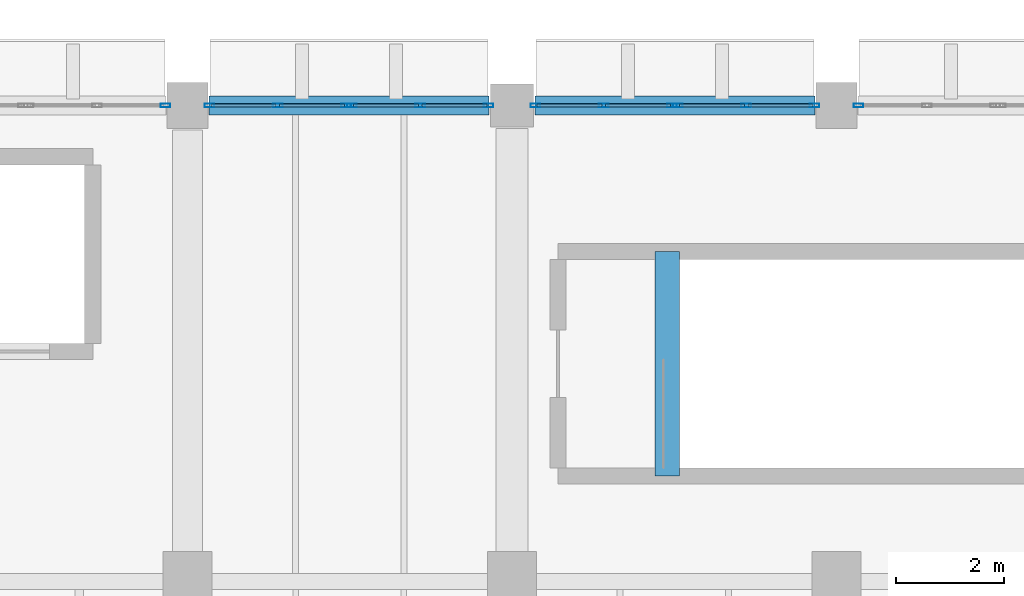
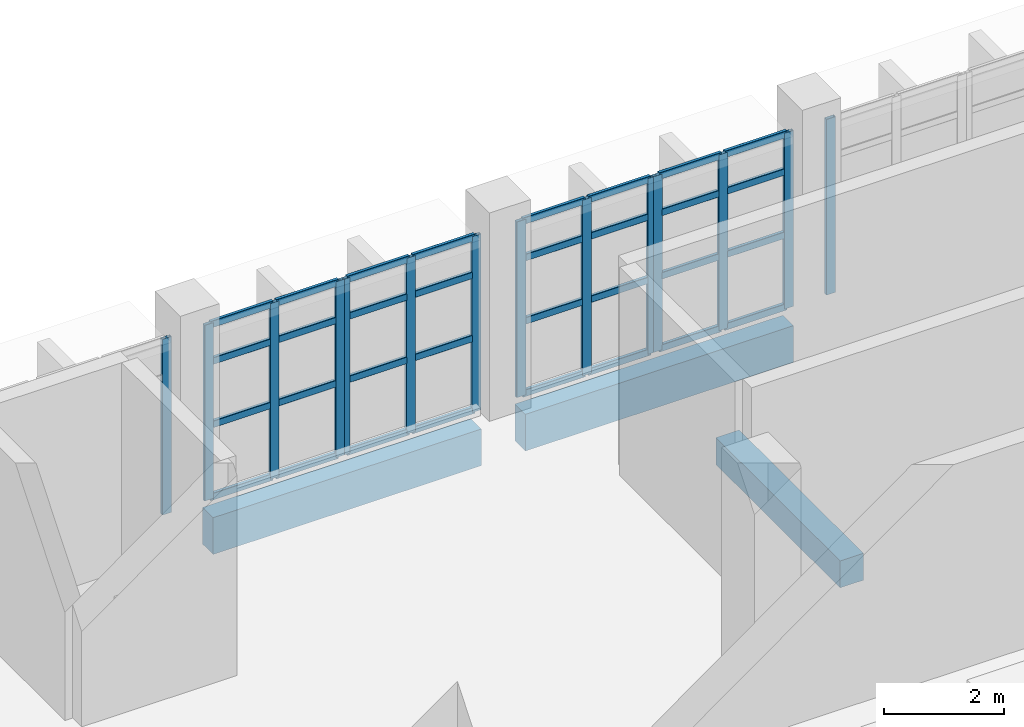
# One storey, part 32 of 76: 46 members, 3 beams, 6 elements without a shape of their own.
"""IFC4 building model written with IfcOpenShell, lengths in metres."""

from ifc_helpers import new_model, si_unit, direction, frame, origin, origin_2d, place, context, subcontext, project, spatial, rectangle, hollow_rectangle, extrude, material, material_profile, profile_set, type_object, element, aggregate, save


model = new_model("IFC4")

# Units and contexts
model_context = context("Model", 3, precision=1e-05, world=origin(), true_north=direction((0.0, 1.0)))
body_context = subcontext(model_context, "Body", "Model", "MODEL_VIEW")
ifc_project = project(units=[si_unit("LENGTHUNIT", "METRE"), si_unit("AREAUNIT", "SQUARE_METRE"), si_unit("VOLUMEUNIT", "CUBIC_METRE"), si_unit("PLANEANGLEUNIT", "RADIAN"), si_unit("MASSUNIT", "GRAM", prefix="KILO")], contexts=[model_context])

# Site, building, storey
site_placement = place(None, origin())
site = spatial("IfcSite", under=ifc_project, at=site_placement, CompositionType="ELEMENT")
building_placement = place(site_placement, origin())
building = spatial("IfcBuilding", under=site, at=building_placement, Name="Varnakota Cinema and Media Centre", CompositionType="ELEMENT")
storey_placement = place(building_placement, origin())
storey = spatial("IfcBuildingStorey", under=building, at=storey_placement, Name="L00", CompositionType="ELEMENT", Elevation=0.0)

# Beams
ifc_material_1 = material(Name="Concrete M40", Category="concrete")
ifc_material_profile_1 = material_profile(ifc_material_1, rectangle(XDim=0.449951171875, YDim=0.550048828125, at=origin_2d()), Name="RCB 450x550")
ifc_profile_set_1 = profile_set([ifc_material_profile_1], Name="Concrete M40")
beam_type_1 = type_object("IfcBeamType", Name="BM-RC-450x550", PredefinedType="BEAM", material=ifc_profile_set_1)
beam_placement = place(storey_placement, frame((89.8701171875, 37.14990234375, -0.27490234375), z_axis=(0.0, 1.0, 0.0), x_axis=(-1.0, 0.0, 0.0)))
element("IfcBeam", 1, at=beam_placement, inside=storey, type_object=beam_type_1, Name="L00 ST-B2 stair arrival trimmer beam", PredefinedType="BEAM", context=body_context, shape_type="SweptSolid", body=[
    extrude(rectangle(XDim=0.449951171875, YDim=0.550048828125, at=origin_2d()), origin(), (0.0, 0.0, 1.0), 4.150146484375),
])
ifc_material_2 = material(Name="Concrete M40", Category="concrete")
ifc_material_profile_2 = material_profile(ifc_material_2, rectangle(XDim=0.35009765625, YDim=0.75, at=origin_2d()), Name="RCB 350x750")
ifc_profile_set_2 = profile_set([ifc_material_profile_2], Name="Concrete M40")
beam_type_2 = type_object("IfcBeamType", Name="BM-SP-350x750", PredefinedType="SPANDREL", material=ifc_profile_set_2)
for number, where, z_axis, x_axis, name in (
    (2, (81.39990234375, 44.0, -0.655029296875), (1.0, 0.0, 0.0), (0.0, 1.0, 0.0), "L00 girder L-M/6"),
    (3, (87.425048828125, 44.0, -0.655029296875), (1.0, 0.0, 0.0), (0.0, 1.0, 0.0), "L00 girder M-N/6"),
):
    element("IfcBeam", number, at=place(storey_placement, frame(where, z_axis=z_axis, x_axis=x_axis)), inside=storey, type_object=beam_type_2, Name=name, PredefinedType="SPANDREL", context=body_context, shape_type="SweptSolid", body=[
        extrude(rectangle(XDim=0.35009765625, YDim=0.75, at=origin_2d()), origin(), (0.0, 0.0, 1.0), 5.175048828125),
    ])

# Curtain wall, member
ifc_material_3 = material(Name="Thermally broken anodised aluminium AW-6063", Category="aluminium")
curtain_wall_type = type_object("IfcCurtainWallType", Name="CW-STD-259x358", PredefinedType="USERDEFINED", material=ifc_material_3)
curtain_wall_1_placement = place(storey_placement, origin())
curtain_wall_1 = element("IfcCurtainWall", 4, at=curtain_wall_1_placement, inside=storey, type_object=curtain_wall_type, Name="L00 curtain wall CW-L00-V1-N-01-2", ObjectType="UNITISED CURTAIN WALL", PredefinedType="USERDEFINED")
ifc_material_4 = material(Name="Thermally broken anodised aluminium AW-6063", Category="aluminium")
ifc_material_profile_3 = material_profile(ifc_material_4, hollow_rectangle(XDim=0.06494140625, YDim=0.179931640625, WallThickness=0.00390625, InnerFilletRadius=0.00390625, OuterFilletRadius=0.008056640625, at=origin_2d()), Name="AL-MULLION 180x65x4")
ifc_profile_set_3 = profile_set([ifc_material_profile_3], Name="Thermally broken anodised aluminium AW-6063")
member_type_1 = type_object("IfcMemberType", Name="CWM-AL-180", PredefinedType="MULLION", material=ifc_profile_set_3)
member_1_placement = place(storey_placement, frame((80.592529296875, 44.0, 0.0), z_axis=(0.0, 0.0, 1.0), x_axis=(0.0, 1.0, 0.0)))
member_1 = element("IfcMember", 5, at=member_1_placement, type_object=member_type_1, Name="CW06 mullion 3", PredefinedType="MULLION", context=body_context, shape_type="SweptSolid", body=[
    extrude(hollow_rectangle(XDim=0.06494140625, YDim=0.179931640625, WallThickness=0.00390625, InnerFilletRadius=0.00390625, OuterFilletRadius=0.008056640625, at=origin_2d()), origin(), (0.0, 0.0, 1.0), 3.5849609375),
])
aggregate(curtain_wall_1, [member_1])

# Curtain wall, members
curtain_wall_2_placement = place(storey_placement, origin())
curtain_wall_2 = element("IfcCurtainWall", 6, at=curtain_wall_2_placement, inside=storey, type_object=curtain_wall_type, Name="L00 curtain wall CW-L00-V1-N-02-1", ObjectType="UNITISED CURTAIN WALL", PredefinedType="USERDEFINED")
member_2_placement = place(storey_placement, frame((81.407470703125, 44.0, 0.0), z_axis=(0.0, 0.0, 1.0), x_axis=(0.0, 1.0, 0.0)))
member_2 = element("IfcMember", 7, at=member_2_placement, type_object=member_type_1, Name="CW06 mullion 1", PredefinedType="MULLION", context=body_context, shape_type="SweptSolid", body=[
    extrude(hollow_rectangle(XDim=0.06494140625, YDim=0.179931640625, WallThickness=0.00390625, InnerFilletRadius=0.00390625, OuterFilletRadius=0.008056640625, at=origin_2d()), origin(), (0.0, 0.0, 1.0), 3.5849609375),
])
member_3_placement = place(storey_placement, frame((82.671142578125, 44.0, 0.0), z_axis=(0.0, 0.0, 1.0), x_axis=(0.0, 1.0, 0.0)))
member_3 = element("IfcMember", 8, at=member_3_placement, type_object=member_type_1, Name="CW06 mullion 2", PredefinedType="MULLION", context=body_context, shape_type="SweptSolid", body=[
    extrude(hollow_rectangle(XDim=0.06494140625, YDim=0.179931640625, WallThickness=0.00390625, InnerFilletRadius=0.00390625, OuterFilletRadius=0.008056640625, at=origin_2d()), origin(), (0.0, 0.0, 1.0), 3.5849609375),
])
member_4_placement = place(storey_placement, frame((83.93505859375, 44.0, 0.0), z_axis=(0.0, 0.0, 1.0), x_axis=(0.0, 1.0, 0.0)))
member_4 = element("IfcMember", 9, at=member_4_placement, type_object=member_type_1, Name="CW06 mullion 3", PredefinedType="MULLION", context=body_context, shape_type="SweptSolid", body=[
    extrude(hollow_rectangle(XDim=0.06494140625, YDim=0.179931640625, WallThickness=0.00390625, InnerFilletRadius=0.00390625, OuterFilletRadius=0.008056640625, at=origin_2d()), origin(), (0.0, 0.0, 1.0), 3.5849609375),
])

curtain_wall_3_placement = place(storey_placement, origin())
curtain_wall_3 = element("IfcCurtainWall", 10, at=curtain_wall_3_placement, inside=storey, type_object=curtain_wall_type, Name="L00 curtain wall CW-L00-V1-N-02-2", ObjectType="UNITISED CURTAIN WALL", PredefinedType="USERDEFINED")
member_5_placement = place(storey_placement, frame((84.0400390625, 44.0, 0.0), z_axis=(0.0, 0.0, 1.0), x_axis=(0.0, 1.0, 0.0)))
member_5 = element("IfcMember", 11, at=member_5_placement, type_object=member_type_1, Name="CW06 mullion 1", PredefinedType="MULLION", context=body_context, shape_type="SweptSolid", body=[
    extrude(hollow_rectangle(XDim=0.06494140625, YDim=0.179931640625, WallThickness=0.00390625, InnerFilletRadius=0.00390625, OuterFilletRadius=0.008056640625, at=origin_2d()), origin(), (0.0, 0.0, 1.0), 3.5849609375),
])
member_6_placement = place(storey_placement, frame((85.3037109375, 44.0, 0.0), z_axis=(0.0, 0.0, 1.0), x_axis=(0.0, 1.0, 0.0)))
member_6 = element("IfcMember", 12, at=member_6_placement, type_object=member_type_1, Name="CW06 mullion 2", PredefinedType="MULLION", context=body_context, shape_type="SweptSolid", body=[
    extrude(hollow_rectangle(XDim=0.06494140625, YDim=0.179931640625, WallThickness=0.00390625, InnerFilletRadius=0.00390625, OuterFilletRadius=0.008056640625, at=origin_2d()), origin(), (0.0, 0.0, 1.0), 3.5849609375),
])
member_7_placement = place(storey_placement, frame((86.5673828125, 44.0, 0.0), z_axis=(0.0, 0.0, 1.0), x_axis=(0.0, 1.0, 0.0)))
member_7 = element("IfcMember", 13, at=member_7_placement, type_object=member_type_1, Name="CW06 mullion 3", PredefinedType="MULLION", context=body_context, shape_type="SweptSolid", body=[
    extrude(hollow_rectangle(XDim=0.06494140625, YDim=0.179931640625, WallThickness=0.00390625, InnerFilletRadius=0.00390625, OuterFilletRadius=0.008056640625, at=origin_2d()), origin(), (0.0, 0.0, 1.0), 3.5849609375),
])

curtain_wall_4_placement = place(storey_placement, origin())
curtain_wall_4 = element("IfcCurtainWall", 14, at=curtain_wall_4_placement, inside=storey, type_object=curtain_wall_type, Name="L00 curtain wall CW-L00-V1-N-03-1", ObjectType="UNITISED CURTAIN WALL", PredefinedType="USERDEFINED")
member_8_placement = place(storey_placement, frame((87.4326171875, 44.0, 0.0), z_axis=(0.0, 0.0, 1.0), x_axis=(0.0, 1.0, 0.0)))
member_8 = element("IfcMember", 15, at=member_8_placement, type_object=member_type_1, Name="CW06 mullion 1", PredefinedType="MULLION", context=body_context, shape_type="SweptSolid", body=[
    extrude(hollow_rectangle(XDim=0.06494140625, YDim=0.179931640625, WallThickness=0.00390625, InnerFilletRadius=0.00390625, OuterFilletRadius=0.008056640625, at=origin_2d()), origin(), (0.0, 0.0, 1.0), 3.5849609375),
])
member_9_placement = place(storey_placement, frame((88.6962890625, 44.0, 0.0), z_axis=(0.0, 0.0, 1.0), x_axis=(0.0, 1.0, 0.0)))
member_9 = element("IfcMember", 16, at=member_9_placement, type_object=member_type_1, Name="CW06 mullion 2", PredefinedType="MULLION", context=body_context, shape_type="SweptSolid", body=[
    extrude(hollow_rectangle(XDim=0.06494140625, YDim=0.179931640625, WallThickness=0.00390625, InnerFilletRadius=0.00390625, OuterFilletRadius=0.008056640625, at=origin_2d()), origin(), (0.0, 0.0, 1.0), 3.5849609375),
])
member_10_placement = place(storey_placement, frame((89.9599609375, 44.0, 0.0), z_axis=(0.0, 0.0, 1.0), x_axis=(0.0, 1.0, 0.0)))
member_10 = element("IfcMember", 17, at=member_10_placement, type_object=member_type_1, Name="CW06 mullion 3", PredefinedType="MULLION", context=body_context, shape_type="SweptSolid", body=[
    extrude(hollow_rectangle(XDim=0.06494140625, YDim=0.179931640625, WallThickness=0.00390625, InnerFilletRadius=0.00390625, OuterFilletRadius=0.008056640625, at=origin_2d()), origin(), (0.0, 0.0, 1.0), 3.5849609375),
])

curtain_wall_5_placement = place(storey_placement, origin())
curtain_wall_5 = element("IfcCurtainWall", 18, at=curtain_wall_5_placement, inside=storey, type_object=curtain_wall_type, Name="L00 curtain wall CW-L00-V1-N-03-2", ObjectType="UNITISED CURTAIN WALL", PredefinedType="USERDEFINED")
member_11_placement = place(storey_placement, frame((90.06494140625, 44.0, 0.0), z_axis=(0.0, 0.0, 1.0), x_axis=(0.0, 1.0, 0.0)))
member_11 = element("IfcMember", 19, at=member_11_placement, type_object=member_type_1, Name="CW06 mullion 1", PredefinedType="MULLION", context=body_context, shape_type="SweptSolid", body=[
    extrude(hollow_rectangle(XDim=0.06494140625, YDim=0.179931640625, WallThickness=0.00390625, InnerFilletRadius=0.00390625, OuterFilletRadius=0.008056640625, at=origin_2d()), origin(), (0.0, 0.0, 1.0), 3.5849609375),
])
member_12_placement = place(storey_placement, frame((91.328857421875, 44.0, 0.0), z_axis=(0.0, 0.0, 1.0), x_axis=(0.0, 1.0, 0.0)))
member_12 = element("IfcMember", 20, at=member_12_placement, type_object=member_type_1, Name="CW06 mullion 2", PredefinedType="MULLION", context=body_context, shape_type="SweptSolid", body=[
    extrude(hollow_rectangle(XDim=0.06494140625, YDim=0.179931640625, WallThickness=0.00390625, InnerFilletRadius=0.00390625, OuterFilletRadius=0.008056640625, at=origin_2d()), origin(), (0.0, 0.0, 1.0), 3.5849609375),
])
member_13_placement = place(storey_placement, frame((92.592529296875, 44.0, 0.0), z_axis=(0.0, 0.0, 1.0), x_axis=(0.0, 1.0, 0.0)))
member_13 = element("IfcMember", 21, at=member_13_placement, type_object=member_type_1, Name="CW06 mullion 3", PredefinedType="MULLION", context=body_context, shape_type="SweptSolid", body=[
    extrude(hollow_rectangle(XDim=0.06494140625, YDim=0.179931640625, WallThickness=0.00390625, InnerFilletRadius=0.00390625, OuterFilletRadius=0.008056640625, at=origin_2d()), origin(), (0.0, 0.0, 1.0), 3.5849609375),
])

# Curtain wall, member
curtain_wall_6_placement = place(storey_placement, origin())
curtain_wall_6 = element("IfcCurtainWall", 22, at=curtain_wall_6_placement, inside=storey, type_object=curtain_wall_type, Name="L00 curtain wall CW-L00-V1-N-04-1", ObjectType="UNITISED CURTAIN WALL", PredefinedType="USERDEFINED")
member_14_placement = place(storey_placement, frame((93.407470703125, 44.0, 0.0), z_axis=(0.0, 0.0, 1.0), x_axis=(0.0, 1.0, 0.0)))
member_14 = element("IfcMember", 23, at=member_14_placement, type_object=member_type_1, Name="CW06 mullion 1", PredefinedType="MULLION", context=body_context, shape_type="SweptSolid", body=[
    extrude(hollow_rectangle(XDim=0.06494140625, YDim=0.179931640625, WallThickness=0.00390625, InnerFilletRadius=0.00390625, OuterFilletRadius=0.008056640625, at=origin_2d()), origin(), (0.0, 0.0, 1.0), 3.5849609375),
])
aggregate(curtain_wall_6, [member_14])

# Member
ifc_material_5 = material(Name="Thermally broken anodised aluminium AW-6063", Category="aluminium")
ifc_material_profile_4 = material_profile(ifc_material_5, hollow_rectangle(XDim=0.06494140625, YDim=0.139892578125, WallThickness=0.00390625, InnerFilletRadius=0.00390625, OuterFilletRadius=0.008056640625, at=origin_2d()), Name="AL-TRANSOM 140x65x4")
ifc_profile_set_4 = profile_set([ifc_material_profile_4], Name="Thermally broken anodised aluminium AW-6063")
member_type_2 = type_object("IfcMemberType", Name="CWT-AL-140", PredefinedType="USERDEFINED", material=ifc_profile_set_4)
member_15_placement = place(storey_placement, frame((81.43994140625, 44.0, 0.032470703125), z_axis=(1.0, 0.0, 0.0), x_axis=(0.0, 1.0, 0.0)))
member_15 = element("IfcMember", 24, at=member_15_placement, type_object=member_type_2, Name="CW06 transom 1.1", ObjectType="TRANSOM", PredefinedType="USERDEFINED", context=body_context, shape_type="SweptSolid", body=[
    extrude(hollow_rectangle(XDim=0.06494140625, YDim=0.139892578125, WallThickness=0.00390625, InnerFilletRadius=0.00390625, OuterFilletRadius=0.008056640625, at=origin_2d()), origin(), (0.0, 0.0, 1.0), 1.19873046875),
])

member_16_placement = place(storey_placement, frame((81.43994140625, 44.0, 1.505615234375), z_axis=(1.0, 0.0, 0.0), x_axis=(0.0, 1.0, 0.0)))
member_16 = element("IfcMember", 25, at=member_16_placement, type_object=member_type_2, Name="CW06 transom 1.2", ObjectType="TRANSOM", PredefinedType="USERDEFINED", context=body_context, shape_type="SweptSolid", body=[
    extrude(hollow_rectangle(XDim=0.06494140625, YDim=0.139892578125, WallThickness=0.00390625, InnerFilletRadius=0.00390625, OuterFilletRadius=0.008056640625, at=origin_2d()), origin(), (0.0, 0.0, 1.0), 1.19873046875),
])

member_17_placement = place(storey_placement, frame((81.43994140625, 44.0, 2.79638671875), z_axis=(1.0, 0.0, 0.0), x_axis=(0.0, 1.0, 0.0)))
member_17 = element("IfcMember", 26, at=member_17_placement, type_object=member_type_2, Name="CW06 transom 1.3", ObjectType="TRANSOM", PredefinedType="USERDEFINED", context=body_context, shape_type="SweptSolid", body=[
    extrude(hollow_rectangle(XDim=0.06494140625, YDim=0.139892578125, WallThickness=0.00390625, InnerFilletRadius=0.00390625, OuterFilletRadius=0.008056640625, at=origin_2d()), origin(), (0.0, 0.0, 1.0), 1.19873046875),
])

member_18_placement = place(storey_placement, frame((81.43994140625, 44.0, 3.552490234375), z_axis=(1.0, 0.0, 0.0), x_axis=(0.0, 1.0, 0.0)))
member_18 = element("IfcMember", 27, at=member_18_placement, type_object=member_type_2, Name="CW06 transom 1.4", ObjectType="TRANSOM", PredefinedType="USERDEFINED", context=body_context, shape_type="SweptSolid", body=[
    extrude(hollow_rectangle(XDim=0.06494140625, YDim=0.139892578125, WallThickness=0.00390625, InnerFilletRadius=0.00390625, OuterFilletRadius=0.008056640625, at=origin_2d()), origin(), (0.0, 0.0, 1.0), 1.19873046875),
])

member_19_placement = place(storey_placement, frame((82.703857421875, 44.0, 0.032470703125), z_axis=(1.0, 0.0, 0.0), x_axis=(0.0, 1.0, 0.0)))
member_19 = element("IfcMember", 28, at=member_19_placement, type_object=member_type_2, Name="CW06 transom 2.1", ObjectType="TRANSOM", PredefinedType="USERDEFINED", context=body_context, shape_type="SweptSolid", body=[
    extrude(hollow_rectangle(XDim=0.06494140625, YDim=0.139892578125, WallThickness=0.00390625, InnerFilletRadius=0.00390625, OuterFilletRadius=0.008056640625, at=origin_2d()), origin(), (0.0, 0.0, 1.0), 1.19873046875),
])

member_20_placement = place(storey_placement, frame((82.703857421875, 44.0, 1.505615234375), z_axis=(1.0, 0.0, 0.0), x_axis=(0.0, 1.0, 0.0)))
member_20 = element("IfcMember", 29, at=member_20_placement, type_object=member_type_2, Name="CW06 transom 2.2", ObjectType="TRANSOM", PredefinedType="USERDEFINED", context=body_context, shape_type="SweptSolid", body=[
    extrude(hollow_rectangle(XDim=0.06494140625, YDim=0.139892578125, WallThickness=0.00390625, InnerFilletRadius=0.00390625, OuterFilletRadius=0.008056640625, at=origin_2d()), origin(), (0.0, 0.0, 1.0), 1.19873046875),
])

member_21_placement = place(storey_placement, frame((82.703857421875, 44.0, 2.79638671875), z_axis=(1.0, 0.0, 0.0), x_axis=(0.0, 1.0, 0.0)))
member_21 = element("IfcMember", 30, at=member_21_placement, type_object=member_type_2, Name="CW06 transom 2.3", ObjectType="TRANSOM", PredefinedType="USERDEFINED", context=body_context, shape_type="SweptSolid", body=[
    extrude(hollow_rectangle(XDim=0.06494140625, YDim=0.139892578125, WallThickness=0.00390625, InnerFilletRadius=0.00390625, OuterFilletRadius=0.008056640625, at=origin_2d()), origin(), (0.0, 0.0, 1.0), 1.19873046875),
])

member_22_placement = place(storey_placement, frame((82.703857421875, 44.0, 3.552490234375), z_axis=(1.0, 0.0, 0.0), x_axis=(0.0, 1.0, 0.0)))
member_22 = element("IfcMember", 31, at=member_22_placement, type_object=member_type_2, Name="CW06 transom 2.4", ObjectType="TRANSOM", PredefinedType="USERDEFINED", context=body_context, shape_type="SweptSolid", body=[
    extrude(hollow_rectangle(XDim=0.06494140625, YDim=0.139892578125, WallThickness=0.00390625, InnerFilletRadius=0.00390625, OuterFilletRadius=0.008056640625, at=origin_2d()), origin(), (0.0, 0.0, 1.0), 1.19873046875),
])

aggregate(curtain_wall_2, [member_2, member_3, member_4, member_15, member_16, member_17, member_18, member_19, member_20, member_21, member_22])

member_23_placement = place(storey_placement, frame((84.072509765625, 44.0, 0.032470703125), z_axis=(1.0, 0.0, 0.0), x_axis=(0.0, 1.0, 0.0)))
member_23 = element("IfcMember", 32, at=member_23_placement, type_object=member_type_2, Name="CW06 transom 1.1", ObjectType="TRANSOM", PredefinedType="USERDEFINED", context=body_context, shape_type="SweptSolid", body=[
    extrude(hollow_rectangle(XDim=0.06494140625, YDim=0.139892578125, WallThickness=0.00390625, InnerFilletRadius=0.00390625, OuterFilletRadius=0.008056640625, at=origin_2d()), origin(), (0.0, 0.0, 1.0), 1.19873046875),
])

member_24_placement = place(storey_placement, frame((84.072509765625, 44.0, 1.505615234375), z_axis=(1.0, 0.0, 0.0), x_axis=(0.0, 1.0, 0.0)))
member_24 = element("IfcMember", 33, at=member_24_placement, type_object=member_type_2, Name="CW06 transom 1.2", ObjectType="TRANSOM", PredefinedType="USERDEFINED", context=body_context, shape_type="SweptSolid", body=[
    extrude(hollow_rectangle(XDim=0.06494140625, YDim=0.139892578125, WallThickness=0.00390625, InnerFilletRadius=0.00390625, OuterFilletRadius=0.008056640625, at=origin_2d()), origin(), (0.0, 0.0, 1.0), 1.19873046875),
])

member_25_placement = place(storey_placement, frame((84.072509765625, 44.0, 2.79638671875), z_axis=(1.0, 0.0, 0.0), x_axis=(0.0, 1.0, 0.0)))
member_25 = element("IfcMember", 34, at=member_25_placement, type_object=member_type_2, Name="CW06 transom 1.3", ObjectType="TRANSOM", PredefinedType="USERDEFINED", context=body_context, shape_type="SweptSolid", body=[
    extrude(hollow_rectangle(XDim=0.06494140625, YDim=0.139892578125, WallThickness=0.00390625, InnerFilletRadius=0.00390625, OuterFilletRadius=0.008056640625, at=origin_2d()), origin(), (0.0, 0.0, 1.0), 1.19873046875),
])

member_26_placement = place(storey_placement, frame((84.072509765625, 44.0, 3.552490234375), z_axis=(1.0, 0.0, 0.0), x_axis=(0.0, 1.0, 0.0)))
member_26 = element("IfcMember", 35, at=member_26_placement, type_object=member_type_2, Name="CW06 transom 1.4", ObjectType="TRANSOM", PredefinedType="USERDEFINED", context=body_context, shape_type="SweptSolid", body=[
    extrude(hollow_rectangle(XDim=0.06494140625, YDim=0.139892578125, WallThickness=0.00390625, InnerFilletRadius=0.00390625, OuterFilletRadius=0.008056640625, at=origin_2d()), origin(), (0.0, 0.0, 1.0), 1.19873046875),
])

member_27_placement = place(storey_placement, frame((85.336181640625, 44.0, 0.032470703125), z_axis=(1.0, 0.0, 0.0), x_axis=(0.0, 1.0, 0.0)))
member_27 = element("IfcMember", 36, at=member_27_placement, type_object=member_type_2, Name="CW06 transom 2.1", ObjectType="TRANSOM", PredefinedType="USERDEFINED", context=body_context, shape_type="SweptSolid", body=[
    extrude(hollow_rectangle(XDim=0.06494140625, YDim=0.139892578125, WallThickness=0.00390625, InnerFilletRadius=0.00390625, OuterFilletRadius=0.008056640625, at=origin_2d()), origin(), (0.0, 0.0, 1.0), 1.19873046875),
])

member_28_placement = place(storey_placement, frame((85.336181640625, 44.0, 1.505615234375), z_axis=(1.0, 0.0, 0.0), x_axis=(0.0, 1.0, 0.0)))
member_28 = element("IfcMember", 37, at=member_28_placement, type_object=member_type_2, Name="CW06 transom 2.2", ObjectType="TRANSOM", PredefinedType="USERDEFINED", context=body_context, shape_type="SweptSolid", body=[
    extrude(hollow_rectangle(XDim=0.06494140625, YDim=0.139892578125, WallThickness=0.00390625, InnerFilletRadius=0.00390625, OuterFilletRadius=0.008056640625, at=origin_2d()), origin(), (0.0, 0.0, 1.0), 1.19873046875),
])

member_29_placement = place(storey_placement, frame((85.336181640625, 44.0, 2.79638671875), z_axis=(1.0, 0.0, 0.0), x_axis=(0.0, 1.0, 0.0)))
member_29 = element("IfcMember", 38, at=member_29_placement, type_object=member_type_2, Name="CW06 transom 2.3", ObjectType="TRANSOM", PredefinedType="USERDEFINED", context=body_context, shape_type="SweptSolid", body=[
    extrude(hollow_rectangle(XDim=0.06494140625, YDim=0.139892578125, WallThickness=0.00390625, InnerFilletRadius=0.00390625, OuterFilletRadius=0.008056640625, at=origin_2d()), origin(), (0.0, 0.0, 1.0), 1.19873046875),
])

member_30_placement = place(storey_placement, frame((85.336181640625, 44.0, 3.552490234375), z_axis=(1.0, 0.0, 0.0), x_axis=(0.0, 1.0, 0.0)))
member_30 = element("IfcMember", 39, at=member_30_placement, type_object=member_type_2, Name="CW06 transom 2.4", ObjectType="TRANSOM", PredefinedType="USERDEFINED", context=body_context, shape_type="SweptSolid", body=[
    extrude(hollow_rectangle(XDim=0.06494140625, YDim=0.139892578125, WallThickness=0.00390625, InnerFilletRadius=0.00390625, OuterFilletRadius=0.008056640625, at=origin_2d()), origin(), (0.0, 0.0, 1.0), 1.19873046875),
])

aggregate(curtain_wall_3, [member_5, member_6, member_7, member_23, member_24, member_25, member_26, member_27, member_28, member_29, member_30])

member_31_placement = place(storey_placement, frame((87.465087890625, 44.0, 0.032470703125), z_axis=(1.0, 0.0, 0.0), x_axis=(0.0, 1.0, 0.0)))
member_31 = element("IfcMember", 40, at=member_31_placement, type_object=member_type_2, Name="CW06 transom 1.1", ObjectType="TRANSOM", PredefinedType="USERDEFINED", context=body_context, shape_type="SweptSolid", body=[
    extrude(hollow_rectangle(XDim=0.06494140625, YDim=0.139892578125, WallThickness=0.00390625, InnerFilletRadius=0.00390625, OuterFilletRadius=0.008056640625, at=origin_2d()), origin(), (0.0, 0.0, 1.0), 1.19873046875),
])

member_32_placement = place(storey_placement, frame((87.465087890625, 44.0, 1.505615234375), z_axis=(1.0, 0.0, 0.0), x_axis=(0.0, 1.0, 0.0)))
member_32 = element("IfcMember", 41, at=member_32_placement, type_object=member_type_2, Name="CW06 transom 1.2", ObjectType="TRANSOM", PredefinedType="USERDEFINED", context=body_context, shape_type="SweptSolid", body=[
    extrude(hollow_rectangle(XDim=0.06494140625, YDim=0.139892578125, WallThickness=0.00390625, InnerFilletRadius=0.00390625, OuterFilletRadius=0.008056640625, at=origin_2d()), origin(), (0.0, 0.0, 1.0), 1.19873046875),
])

member_33_placement = place(storey_placement, frame((87.465087890625, 44.0, 2.79638671875), z_axis=(1.0, 0.0, 0.0), x_axis=(0.0, 1.0, 0.0)))
member_33 = element("IfcMember", 42, at=member_33_placement, type_object=member_type_2, Name="CW06 transom 1.3", ObjectType="TRANSOM", PredefinedType="USERDEFINED", context=body_context, shape_type="SweptSolid", body=[
    extrude(hollow_rectangle(XDim=0.06494140625, YDim=0.139892578125, WallThickness=0.00390625, InnerFilletRadius=0.00390625, OuterFilletRadius=0.008056640625, at=origin_2d()), origin(), (0.0, 0.0, 1.0), 1.19873046875),
])

member_34_placement = place(storey_placement, frame((87.465087890625, 44.0, 3.552490234375), z_axis=(1.0, 0.0, 0.0), x_axis=(0.0, 1.0, 0.0)))
member_34 = element("IfcMember", 43, at=member_34_placement, type_object=member_type_2, Name="CW06 transom 1.4", ObjectType="TRANSOM", PredefinedType="USERDEFINED", context=body_context, shape_type="SweptSolid", body=[
    extrude(hollow_rectangle(XDim=0.06494140625, YDim=0.139892578125, WallThickness=0.00390625, InnerFilletRadius=0.00390625, OuterFilletRadius=0.008056640625, at=origin_2d()), origin(), (0.0, 0.0, 1.0), 1.19873046875),
])

member_35_placement = place(storey_placement, frame((88.728759765625, 44.0, 0.032470703125), z_axis=(1.0, 0.0, 0.0), x_axis=(0.0, 1.0, 0.0)))
member_35 = element("IfcMember", 44, at=member_35_placement, type_object=member_type_2, Name="CW06 transom 2.1", ObjectType="TRANSOM", PredefinedType="USERDEFINED", context=body_context, shape_type="SweptSolid", body=[
    extrude(hollow_rectangle(XDim=0.06494140625, YDim=0.139892578125, WallThickness=0.00390625, InnerFilletRadius=0.00390625, OuterFilletRadius=0.008056640625, at=origin_2d()), origin(), (0.0, 0.0, 1.0), 1.19873046875),
])

member_36_placement = place(storey_placement, frame((88.728759765625, 44.0, 1.505615234375), z_axis=(1.0, 0.0, 0.0), x_axis=(0.0, 1.0, 0.0)))
member_36 = element("IfcMember", 45, at=member_36_placement, type_object=member_type_2, Name="CW06 transom 2.2", ObjectType="TRANSOM", PredefinedType="USERDEFINED", context=body_context, shape_type="SweptSolid", body=[
    extrude(hollow_rectangle(XDim=0.06494140625, YDim=0.139892578125, WallThickness=0.00390625, InnerFilletRadius=0.00390625, OuterFilletRadius=0.008056640625, at=origin_2d()), origin(), (0.0, 0.0, 1.0), 1.19873046875),
])

member_37_placement = place(storey_placement, frame((88.728759765625, 44.0, 2.79638671875), z_axis=(1.0, 0.0, 0.0), x_axis=(0.0, 1.0, 0.0)))
member_37 = element("IfcMember", 46, at=member_37_placement, type_object=member_type_2, Name="CW06 transom 2.3", ObjectType="TRANSOM", PredefinedType="USERDEFINED", context=body_context, shape_type="SweptSolid", body=[
    extrude(hollow_rectangle(XDim=0.06494140625, YDim=0.139892578125, WallThickness=0.00390625, InnerFilletRadius=0.00390625, OuterFilletRadius=0.008056640625, at=origin_2d()), origin(), (0.0, 0.0, 1.0), 1.19873046875),
])

member_38_placement = place(storey_placement, frame((88.728759765625, 44.0, 3.552490234375), z_axis=(1.0, 0.0, 0.0), x_axis=(0.0, 1.0, 0.0)))
member_38 = element("IfcMember", 47, at=member_38_placement, type_object=member_type_2, Name="CW06 transom 2.4", ObjectType="TRANSOM", PredefinedType="USERDEFINED", context=body_context, shape_type="SweptSolid", body=[
    extrude(hollow_rectangle(XDim=0.06494140625, YDim=0.139892578125, WallThickness=0.00390625, InnerFilletRadius=0.00390625, OuterFilletRadius=0.008056640625, at=origin_2d()), origin(), (0.0, 0.0, 1.0), 1.19873046875),
])

aggregate(curtain_wall_4, [member_8, member_9, member_10, member_31, member_32, member_33, member_34, member_35, member_36, member_37, member_38])

member_39_placement = place(storey_placement, frame((90.097412109375, 44.0, 0.032470703125), z_axis=(1.0, 0.0, 0.0), x_axis=(0.0, 1.0, 0.0)))
member_39 = element("IfcMember", 48, at=member_39_placement, type_object=member_type_2, Name="CW06 transom 1.1", ObjectType="TRANSOM", PredefinedType="USERDEFINED", context=body_context, shape_type="SweptSolid", body=[
    extrude(hollow_rectangle(XDim=0.06494140625, YDim=0.139892578125, WallThickness=0.00390625, InnerFilletRadius=0.00390625, OuterFilletRadius=0.008056640625, at=origin_2d()), origin(), (0.0, 0.0, 1.0), 1.19873046875),
])

member_40_placement = place(storey_placement, frame((90.097412109375, 44.0, 1.505615234375), z_axis=(1.0, 0.0, 0.0), x_axis=(0.0, 1.0, 0.0)))
member_40 = element("IfcMember", 49, at=member_40_placement, type_object=member_type_2, Name="CW06 transom 1.2", ObjectType="TRANSOM", PredefinedType="USERDEFINED", context=body_context, shape_type="SweptSolid", body=[
    extrude(hollow_rectangle(XDim=0.06494140625, YDim=0.139892578125, WallThickness=0.00390625, InnerFilletRadius=0.00390625, OuterFilletRadius=0.008056640625, at=origin_2d()), origin(), (0.0, 0.0, 1.0), 1.19873046875),
])

member_41_placement = place(storey_placement, frame((90.097412109375, 44.0, 2.79638671875), z_axis=(1.0, 0.0, 0.0), x_axis=(0.0, 1.0, 0.0)))
member_41 = element("IfcMember", 50, at=member_41_placement, type_object=member_type_2, Name="CW06 transom 1.3", ObjectType="TRANSOM", PredefinedType="USERDEFINED", context=body_context, shape_type="SweptSolid", body=[
    extrude(hollow_rectangle(XDim=0.06494140625, YDim=0.139892578125, WallThickness=0.00390625, InnerFilletRadius=0.00390625, OuterFilletRadius=0.008056640625, at=origin_2d()), origin(), (0.0, 0.0, 1.0), 1.19873046875),
])

member_42_placement = place(storey_placement, frame((90.097412109375, 44.0, 3.552490234375), z_axis=(1.0, 0.0, 0.0), x_axis=(0.0, 1.0, 0.0)))
member_42 = element("IfcMember", 51, at=member_42_placement, type_object=member_type_2, Name="CW06 transom 1.4", ObjectType="TRANSOM", PredefinedType="USERDEFINED", context=body_context, shape_type="SweptSolid", body=[
    extrude(hollow_rectangle(XDim=0.06494140625, YDim=0.139892578125, WallThickness=0.00390625, InnerFilletRadius=0.00390625, OuterFilletRadius=0.008056640625, at=origin_2d()), origin(), (0.0, 0.0, 1.0), 1.19873046875),
])

member_43_placement = place(storey_placement, frame((91.361328125, 44.0, 0.032470703125), z_axis=(1.0, 0.0, 0.0), x_axis=(0.0, 1.0, 0.0)))
member_43 = element("IfcMember", 52, at=member_43_placement, type_object=member_type_2, Name="CW06 transom 2.1", ObjectType="TRANSOM", PredefinedType="USERDEFINED", context=body_context, shape_type="SweptSolid", body=[
    extrude(hollow_rectangle(XDim=0.06494140625, YDim=0.139892578125, WallThickness=0.00390625, InnerFilletRadius=0.00390625, OuterFilletRadius=0.008056640625, at=origin_2d()), origin(), (0.0, 0.0, 1.0), 1.19873046875),
])

member_44_placement = place(storey_placement, frame((91.361328125, 44.0, 1.505615234375), z_axis=(1.0, 0.0, 0.0), x_axis=(0.0, 1.0, 0.0)))
member_44 = element("IfcMember", 53, at=member_44_placement, type_object=member_type_2, Name="CW06 transom 2.2", ObjectType="TRANSOM", PredefinedType="USERDEFINED", context=body_context, shape_type="SweptSolid", body=[
    extrude(hollow_rectangle(XDim=0.06494140625, YDim=0.139892578125, WallThickness=0.00390625, InnerFilletRadius=0.00390625, OuterFilletRadius=0.008056640625, at=origin_2d()), origin(), (0.0, 0.0, 1.0), 1.19873046875),
])

member_45_placement = place(storey_placement, frame((91.361328125, 44.0, 2.79638671875), z_axis=(1.0, 0.0, 0.0), x_axis=(0.0, 1.0, 0.0)))
member_45 = element("IfcMember", 54, at=member_45_placement, type_object=member_type_2, Name="CW06 transom 2.3", ObjectType="TRANSOM", PredefinedType="USERDEFINED", context=body_context, shape_type="SweptSolid", body=[
    extrude(hollow_rectangle(XDim=0.06494140625, YDim=0.139892578125, WallThickness=0.00390625, InnerFilletRadius=0.00390625, OuterFilletRadius=0.008056640625, at=origin_2d()), origin(), (0.0, 0.0, 1.0), 1.19873046875),
])

member_46_placement = place(storey_placement, frame((91.361328125, 44.0, 3.552490234375), z_axis=(1.0, 0.0, 0.0), x_axis=(0.0, 1.0, 0.0)))
member_46 = element("IfcMember", 55, at=member_46_placement, type_object=member_type_2, Name="CW06 transom 2.4", ObjectType="TRANSOM", PredefinedType="USERDEFINED", context=body_context, shape_type="SweptSolid", body=[
    extrude(hollow_rectangle(XDim=0.06494140625, YDim=0.139892578125, WallThickness=0.00390625, InnerFilletRadius=0.00390625, OuterFilletRadius=0.008056640625, at=origin_2d()), origin(), (0.0, 0.0, 1.0), 1.19873046875),
])

aggregate(curtain_wall_5, [member_11, member_12, member_13, member_39, member_40, member_41, member_42, member_43, member_44, member_45, member_46])

save(model, "model.ifc")
